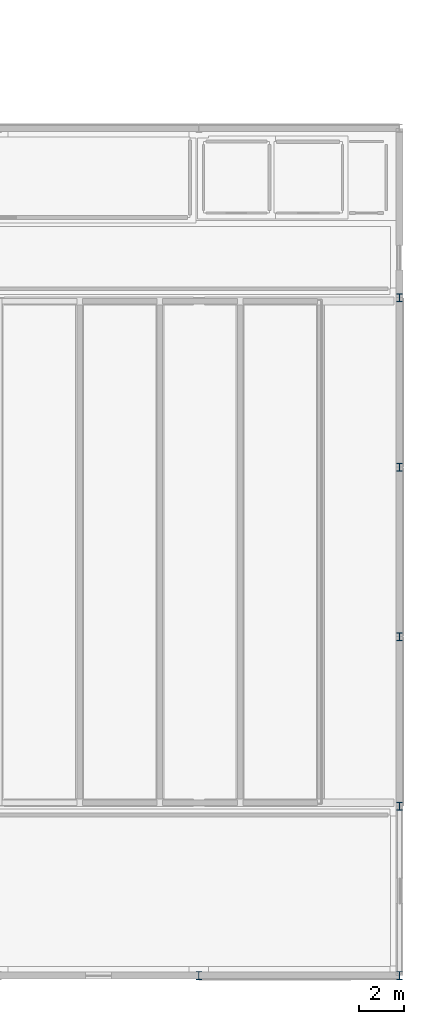
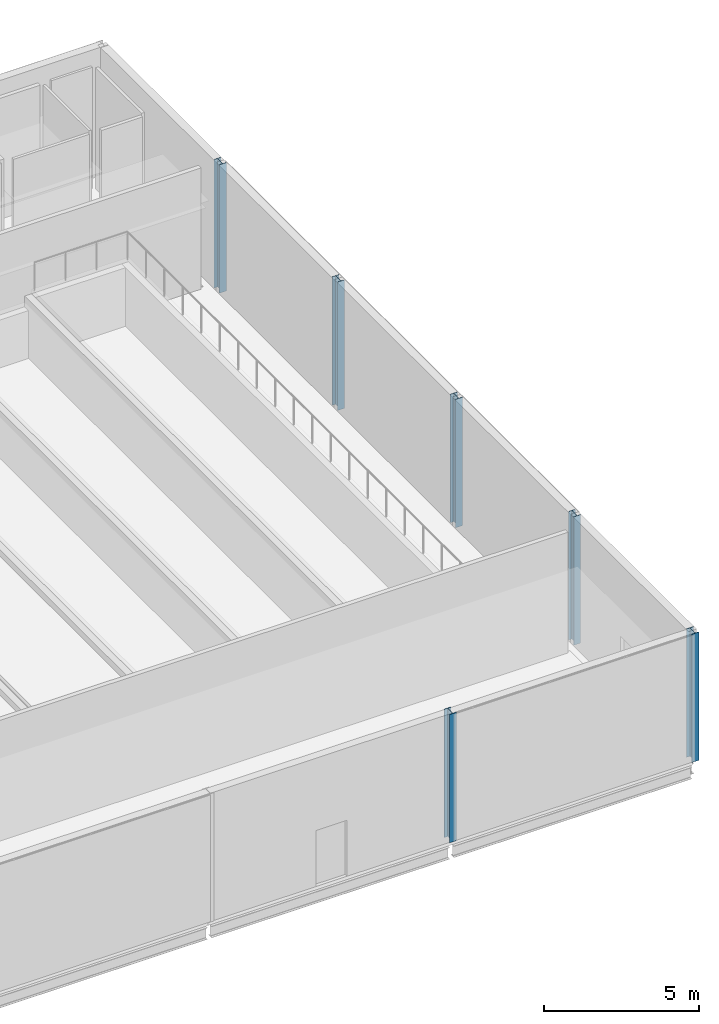
# One storey, part 26 of 161: 6 columns.
"""IFC4 building model written with IfcOpenShell, lengths in metres."""

from ifc_helpers import new_model, si_unit, direction, frame, origin, origin_2d, place, context, subcontext, project, spatial, i_section, extrude, material, material_profile, profile_set, type_object, element, save


model = new_model("IFC4")

# Units and contexts
model_context = context("Model", 3, precision=1e-05, world=origin(), true_north=direction((0.0, 1.0)))
body_context = subcontext(model_context, "Body", "Model", "MODEL_VIEW")
ifc_project = project(units=[si_unit("LENGTHUNIT", "METRE"), si_unit("AREAUNIT", "SQUARE_METRE"), si_unit("VOLUMEUNIT", "CUBIC_METRE"), si_unit("PLANEANGLEUNIT", "RADIAN"), si_unit("MASSUNIT", "GRAM", prefix="KILO")], contexts=[model_context])

# Site, building, storey
site_placement = place(None, origin())
site = spatial("IfcSite", under=ifc_project, at=site_placement, CompositionType="ELEMENT")
building_placement = place(site_placement, origin())
building = spatial("IfcBuilding", under=site, at=building_placement, Name="Caisbarro Railhouse Central Library", CompositionType="ELEMENT")
storey_placement = place(building_placement, origin())
storey = spatial("IfcBuildingStorey", under=building, at=storey_placement, Name="L00", CompositionType="ELEMENT", Elevation=0.0)

# Columns
ifc_material = material(Name="Steel ASTM A572 Grade 50", Category="steel")
ifc_material_profile = material_profile(ifc_material, i_section(OverallWidth=0.25390625, OverallDepth=0.35302734375, WebThickness=0.009521484375, FlangeThickness=0.016357421875, FilletRadius=0.014892578125, at=origin_2d()), Name="W360X91.0")
ifc_profile_set = profile_set([ifc_material_profile], Name="Steel ASTM A572 Grade 50")
column_type = type_object("IfcColumnType", Name="COL-C05", PredefinedType="COLUMN", material=ifc_profile_set)
for number, where, z_axis, x_axis, name in (
    (1, (171.0, 0.0, 0.0), (0.0, 0.0, 1.0), (1.0, 0.0, 0.0), "C05 column L00 (171.0,0.0)"),
    (2, (180.0, 0.0, 0.0), (0.0, 0.0, 1.0), (1.0, 0.0, 0.0), "C05 column L00 (180.0,0.0)"),
    (3, (180.0, 7.60009765625, 0.0), (0.0, 0.0, 1.0), (1.0, 0.0, 0.0), "C05 column L00 (180.0,7.6)"),
    (4, (180.0, 15.199951171875, 0.0), (0.0, 0.0, 1.0), (1.0, 0.0, 0.0), "C05 column L00 (180.0,15.2)"),
    (5, (180.0, 22.800048828125, 0.0), (0.0, 0.0, 1.0), (1.0, 0.0, 0.0), "C05 column L00 (180.0,22.8)"),
    (6, (180.0, 30.39990234375, 0.0), (0.0, 0.0, 1.0), (1.0, 0.0, 0.0), "C05 column L00 (180.0,30.4)"),
):
    element("IfcColumn", number, at=place(storey_placement, frame(where, z_axis=z_axis, x_axis=x_axis)), inside=storey, type_object=column_type, Name=name, PredefinedType="COLUMN", context=body_context, shape_type="SweptSolid", body=[
        extrude(i_section(OverallWidth=0.25390625, OverallDepth=0.35302734375, WebThickness=0.009521484375, FlangeThickness=0.016357421875, FilletRadius=0.014892578125, at=origin_2d()), origin(), (0.0, 0.0, 1.0), 5.0400390625),
    ])

save(model, "model.ifc")
